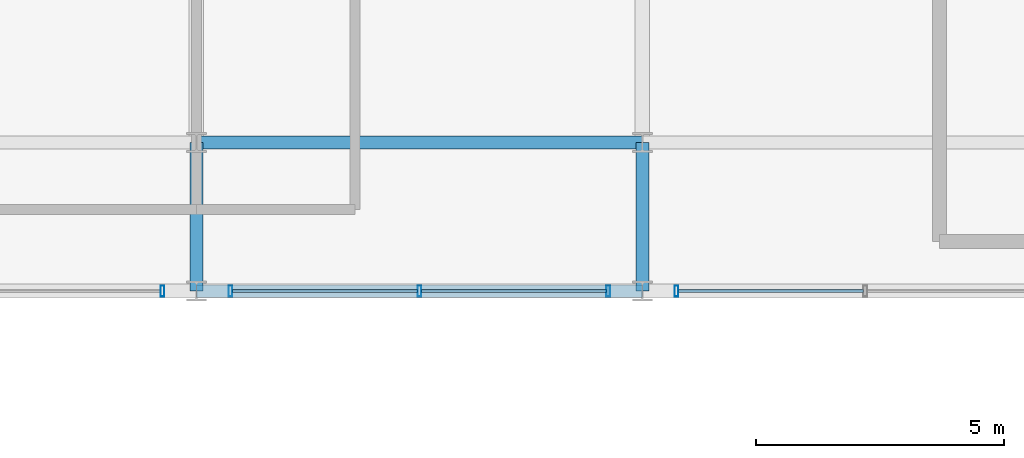
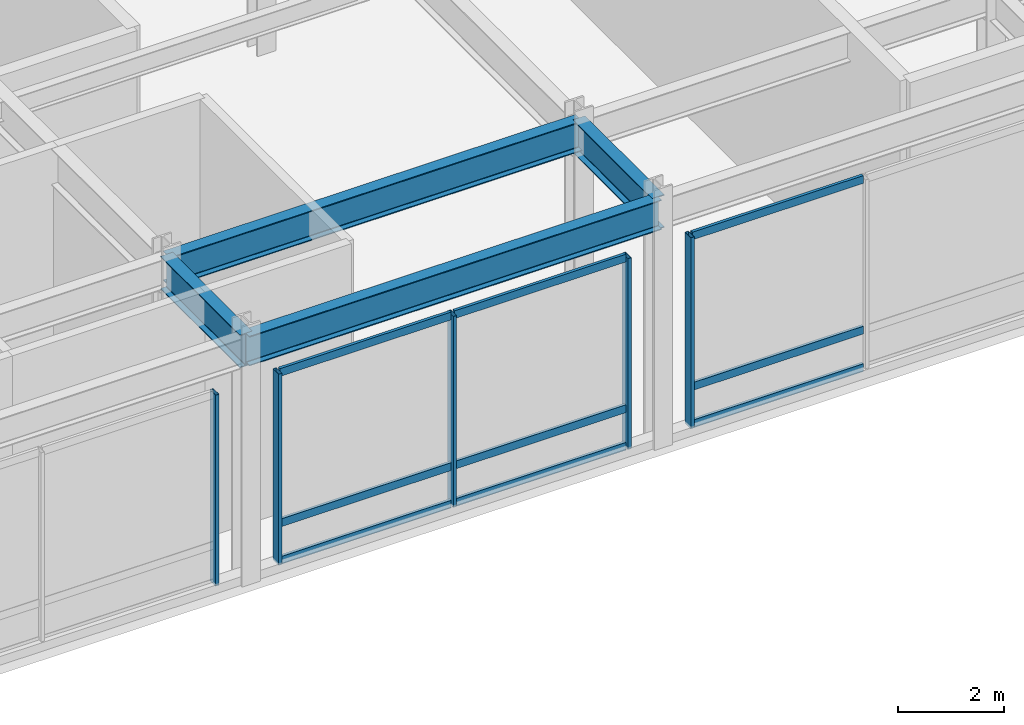
# One storey, part 57 of 105: 14 members, 4 beams, 3 elements without a shape of their own.
"""IFC4 building model written with IfcOpenShell, lengths in metres."""

from ifc_helpers import new_model, si_unit, direction, frame, origin, origin_2d, place, context, subcontext, project, spatial, hollow_rectangle, i_section, extrude, material, material_profile, profile_set, type_object, element, aggregate, save


model = new_model("IFC4")

# Units and contexts
model_context = context("Model", 3, precision=1e-05, world=origin(), true_north=direction((0.0, 1.0)))
body_context = subcontext(model_context, "Body", "Model", "MODEL_VIEW")
ifc_project = project(units=[si_unit("LENGTHUNIT", "METRE"), si_unit("AREAUNIT", "SQUARE_METRE"), si_unit("VOLUMEUNIT", "CUBIC_METRE"), si_unit("PLANEANGLEUNIT", "RADIAN"), si_unit("MASSUNIT", "GRAM", prefix="KILO")], contexts=[model_context])

# Site, building, storey
site_placement = place(None, origin())
site = spatial("IfcSite", under=ifc_project, at=site_placement, CompositionType="ELEMENT")
building_placement = place(site_placement, origin())
building = spatial("IfcBuilding", under=site, at=building_placement, Name="Kaldorvane Square Convention Centre", CompositionType="ELEMENT")
storey_placement = place(building_placement, frame((0.0, 0.0, 6.0)))
storey = spatial("IfcBuildingStorey", under=building, at=storey_placement, Name="L01", CompositionType="ELEMENT", Elevation=6.0)

# Beams
ifc_material_1 = material(Name="Steel ASTM A992 Gr. 50", Category="steel")
ifc_material_profile_1 = material_profile(ifc_material_1, i_section(OverallWidth=0.25439453125, OverallDepth=0.6880950927734375, WebThickness=0.0131072998046875, FlangeThickness=0.0211029052734375, FilletRadius=0.01519775390625, at=origin_2d()), Name="W27X102")
ifc_profile_set_1 = profile_set([ifc_material_profile_1], Name="Steel ASTM A992 Gr. 50")
beam_type_1 = type_object("IfcBeamType", Name="BM-GR-W27X102", PredefinedType="BEAM", material=ifc_profile_set_1)
for number, where, z_axis, x_axis, name in (
    (1, (147.0, 81.0, 5.332000732421875), (1.0, 0.0, 0.0), (0.0, 1.0, 0.0), "Primary Girder (L01)"),
    (2, (147.0, 84.0, 5.332000732421875), (1.0, 0.0, 0.0), (0.0, 1.0, 0.0), "Primary Girder (L01)"),
):
    element("IfcBeam", number, at=place(storey_placement, frame(where, z_axis=z_axis, x_axis=x_axis)), inside=storey, type_object=beam_type_1, Name=name, PredefinedType="BEAM", context=body_context, shape_type="SweptSolid", body=[
        extrude(i_section(OverallWidth=0.25439453125, OverallDepth=0.6880950927734375, WebThickness=0.0131072998046875, FlangeThickness=0.0211029052734375, FilletRadius=0.01519775390625, at=origin_2d()), origin(), (0.0, 0.0, 1.0), 9.0),
    ])
ifc_material_profile_2 = material_profile(ifc_material_1, i_section(OverallWidth=0.2666015625, OverallDepth=0.762298583984375, WebThickness=0.014404296875, FlangeThickness=0.0216064453125, FilletRadius=0.0164947509765625, at=origin_2d()), Name="W30X116")
ifc_profile_set_2 = profile_set([ifc_material_profile_2], Name="Steel ASTM A992 Gr. 50")
beam_type_2 = type_object("IfcBeamType", Name="BM-GR-W30X116", PredefinedType="BEAM", material=ifc_profile_set_2)
for number, where, z_axis, x_axis, name in (
    (3, (147.0, 81.0, 5.2949066162109375), (0.0, 1.0, 0.0), (-1.0, 0.0, 0.0), "Transverse Girder (L01)"),
    (4, (156.0, 81.0, 5.2949066162109375), (0.0, 1.0, 0.0), (-1.0, 0.0, 0.0), "Transverse Girder (L01)"),
):
    element("IfcBeam", number, at=place(storey_placement, frame(where, z_axis=z_axis, x_axis=x_axis)), inside=storey, type_object=beam_type_2, Name=name, PredefinedType="BEAM", context=body_context, shape_type="SweptSolid", body=[
        extrude(i_section(OverallWidth=0.2666015625, OverallDepth=0.762298583984375, WebThickness=0.014404296875, FlangeThickness=0.0216064453125, FilletRadius=0.0164947509765625, at=origin_2d()), origin(), (0.0, 0.0, 1.0), 3.0),
    ])

# Curtain wall, member
ifc_material_2 = material(Name="Anodized Aluminum and Low-E Insulated Glazing", Category="aluminium")
curtain_wall_type = type_object("IfcCurtainWallType", Name="CW-PTS-FC-60", PredefinedType="USERDEFINED", material=ifc_material_2)
curtain_wall_1_placement = place(storey_placement, origin())
curtain_wall_1 = element("IfcCurtainWall", 5, at=curtain_wall_1_placement, inside=storey, type_object=curtain_wall_type, Name="Curtain Wall CW-07 (L01)", ObjectType="POINT SUPPORTED GLAZING", PredefinedType="USERDEFINED")
ifc_material_profile_3 = material_profile(ifc_material_2, hollow_rectangle(XDim=0.0749969482421875, YDim=0.220001220703125, WallThickness=0.003997802734375, at=origin_2d()), Name="CWM-220X75")
ifc_profile_set_3 = profile_set([ifc_material_profile_3], Name="Anodized Aluminum and Low-E Insulated Glazing")
member_type_1 = type_object("IfcMemberType", Name="CW-MUL-220", PredefinedType="MULLION", material=ifc_profile_set_3)
member_1_placement = place(storey_placement, frame((146.3125, 81.0, 0.149993896484375), z_axis=(0.0, 0.0, 1.0), x_axis=(1.0, 0.0, 0.0)))
member_1 = element("IfcMember", 6, at=member_1_placement, type_object=member_type_1, Name="CW-07 mullion 3", PredefinedType="MULLION", context=body_context, shape_type="SweptSolid", body=[
    extrude(hollow_rectangle(XDim=0.0749969482421875, YDim=0.220001220703125, WallThickness=0.003997802734375, at=origin_2d()), origin(), (0.0, 0.0, 1.0), 4.410003662109375),
])
aggregate(curtain_wall_1, [member_1])

# Curtain wall, members
curtain_wall_2_placement = place(storey_placement, origin())
curtain_wall_2 = element("IfcCurtainWall", 7, at=curtain_wall_2_placement, inside=storey, type_object=curtain_wall_type, Name="Curtain Wall CW-07 (L01)", ObjectType="POINT SUPPORTED GLAZING", PredefinedType="USERDEFINED")
member_2_placement = place(storey_placement, frame((147.6875, 81.0, 0.149993896484375), z_axis=(0.0, 0.0, 1.0), x_axis=(1.0, 0.0, 0.0)))
member_2 = element("IfcMember", 8, at=member_2_placement, type_object=member_type_1, Name="CW-07 mullion 1", PredefinedType="MULLION", context=body_context, shape_type="SweptSolid", body=[
    extrude(hollow_rectangle(XDim=0.0749969482421875, YDim=0.220001220703125, WallThickness=0.003997802734375, at=origin_2d()), origin(), (0.0, 0.0, 1.0), 4.410003662109375),
])
member_3_placement = place(storey_placement, frame((151.5, 81.0, 0.149993896484375), z_axis=(0.0, 0.0, 1.0), x_axis=(1.0, 0.0, 0.0)))
member_3 = element("IfcMember", 9, at=member_3_placement, type_object=member_type_1, Name="CW-07 mullion 2", PredefinedType="MULLION", context=body_context, shape_type="SweptSolid", body=[
    extrude(hollow_rectangle(XDim=0.0749969482421875, YDim=0.220001220703125, WallThickness=0.003997802734375, at=origin_2d()), origin(), (0.0, 0.0, 1.0), 4.410003662109375),
])
member_4_placement = place(storey_placement, frame((155.3125, 81.0, 0.149993896484375), z_axis=(0.0, 0.0, 1.0), x_axis=(1.0, 0.0, 0.0)))
member_4 = element("IfcMember", 10, at=member_4_placement, type_object=member_type_1, Name="CW-07 mullion 3", PredefinedType="MULLION", context=body_context, shape_type="SweptSolid", body=[
    extrude(hollow_rectangle(XDim=0.0749969482421875, YDim=0.220001220703125, WallThickness=0.003997802734375, at=origin_2d()), origin(), (0.0, 0.0, 1.0), 4.410003662109375),
])

# Curtain wall, member
curtain_wall_3_placement = place(storey_placement, origin())
curtain_wall_3 = element("IfcCurtainWall", 11, at=curtain_wall_3_placement, inside=storey, type_object=curtain_wall_type, Name="Curtain Wall CW-07 (L01)", ObjectType="POINT SUPPORTED GLAZING", PredefinedType="USERDEFINED")
member_5_placement = place(storey_placement, frame((156.6875, 81.0, 0.149993896484375), z_axis=(0.0, 0.0, 1.0), x_axis=(1.0, 0.0, 0.0)))
member_5 = element("IfcMember", 12, at=member_5_placement, type_object=member_type_1, Name="CW-07 mullion 1", PredefinedType="MULLION", context=body_context, shape_type="SweptSolid", body=[
    extrude(hollow_rectangle(XDim=0.0749969482421875, YDim=0.220001220703125, WallThickness=0.003997802734375, at=origin_2d()), origin(), (0.0, 0.0, 1.0), 4.410003662109375),
])

# Member
ifc_material_profile_4 = material_profile(ifc_material_2, hollow_rectangle(XDim=0.06500244140625, YDim=0.17999267578125, WallThickness=0.0034942626953125, at=origin_2d()), Name="CWT-180X65")
ifc_profile_set_4 = profile_set([ifc_material_profile_4], Name="Anodized Aluminum and Low-E Insulated Glazing")
member_type_2 = type_object("IfcMemberType", Name="CW-TRN-180", PredefinedType="USERDEFINED", material=ifc_profile_set_4)
member_6_placement = place(storey_placement, frame((147.72500610351562, 81.0, 0.1824951171875), z_axis=(1.0, 0.0, 0.0), x_axis=(0.0, 1.0, 0.0)))
member_6 = element("IfcMember", 13, at=member_6_placement, type_object=member_type_2, Name="CW-07 transom 1.1", ObjectType="TRANSOM", PredefinedType="USERDEFINED", context=body_context, shape_type="SweptSolid", body=[
    extrude(hollow_rectangle(XDim=0.06500244140625, YDim=0.17999267578125, WallThickness=0.0034942626953125, at=origin_2d()), origin(), (0.0, 0.0, 1.0), 3.73748779296875),
])

member_7_placement = place(storey_placement, frame((147.72500610351562, 81.0, 1.0500030517578125), z_axis=(1.0, 0.0, 0.0), x_axis=(0.0, 1.0, 0.0)))
member_7 = element("IfcMember", 14, at=member_7_placement, type_object=member_type_2, Name="CW-07 transom 1.2", ObjectType="TRANSOM", PredefinedType="USERDEFINED", context=body_context, shape_type="SweptSolid", body=[
    extrude(hollow_rectangle(XDim=0.06500244140625, YDim=0.17999267578125, WallThickness=0.0034942626953125, at=origin_2d()), origin(), (0.0, 0.0, 1.0), 3.73748779296875),
])

member_8_placement = place(storey_placement, frame((147.72500610351562, 81.0, 4.527496337890625), z_axis=(1.0, 0.0, 0.0), x_axis=(0.0, 1.0, 0.0)))
member_8 = element("IfcMember", 15, at=member_8_placement, type_object=member_type_2, Name="CW-07 transom 1.3", ObjectType="TRANSOM", PredefinedType="USERDEFINED", context=body_context, shape_type="SweptSolid", body=[
    extrude(hollow_rectangle(XDim=0.06500244140625, YDim=0.17999267578125, WallThickness=0.0034942626953125, at=origin_2d()), origin(), (0.0, 0.0, 1.0), 3.73748779296875),
])

member_9_placement = place(storey_placement, frame((151.53750610351562, 81.0, 0.1824951171875), z_axis=(1.0, 0.0, 0.0), x_axis=(0.0, 1.0, 0.0)))
member_9 = element("IfcMember", 16, at=member_9_placement, type_object=member_type_2, Name="CW-07 transom 2.1", ObjectType="TRANSOM", PredefinedType="USERDEFINED", context=body_context, shape_type="SweptSolid", body=[
    extrude(hollow_rectangle(XDim=0.06500244140625, YDim=0.17999267578125, WallThickness=0.0034942626953125, at=origin_2d()), origin(), (0.0, 0.0, 1.0), 3.73748779296875),
])

member_10_placement = place(storey_placement, frame((151.53750610351562, 81.0, 1.0500030517578125), z_axis=(1.0, 0.0, 0.0), x_axis=(0.0, 1.0, 0.0)))
member_10 = element("IfcMember", 17, at=member_10_placement, type_object=member_type_2, Name="CW-07 transom 2.2", ObjectType="TRANSOM", PredefinedType="USERDEFINED", context=body_context, shape_type="SweptSolid", body=[
    extrude(hollow_rectangle(XDim=0.06500244140625, YDim=0.17999267578125, WallThickness=0.0034942626953125, at=origin_2d()), origin(), (0.0, 0.0, 1.0), 3.73748779296875),
])

member_11_placement = place(storey_placement, frame((151.53750610351562, 81.0, 4.527496337890625), z_axis=(1.0, 0.0, 0.0), x_axis=(0.0, 1.0, 0.0)))
member_11 = element("IfcMember", 18, at=member_11_placement, type_object=member_type_2, Name="CW-07 transom 2.3", ObjectType="TRANSOM", PredefinedType="USERDEFINED", context=body_context, shape_type="SweptSolid", body=[
    extrude(hollow_rectangle(XDim=0.06500244140625, YDim=0.17999267578125, WallThickness=0.0034942626953125, at=origin_2d()), origin(), (0.0, 0.0, 1.0), 3.73748779296875),
])

aggregate(curtain_wall_2, [member_2, member_3, member_4, member_6, member_7, member_8, member_9, member_10, member_11])

member_12_placement = place(storey_placement, frame((156.72500610351562, 81.0, 0.1824951171875), z_axis=(1.0, 0.0, 0.0), x_axis=(0.0, 1.0, 0.0)))
member_12 = element("IfcMember", 19, at=member_12_placement, type_object=member_type_2, Name="CW-07 transom 1.1", ObjectType="TRANSOM", PredefinedType="USERDEFINED", context=body_context, shape_type="SweptSolid", body=[
    extrude(hollow_rectangle(XDim=0.06500244140625, YDim=0.17999267578125, WallThickness=0.0034942626953125, at=origin_2d()), origin(), (0.0, 0.0, 1.0), 3.73748779296875),
])

member_13_placement = place(storey_placement, frame((156.72500610351562, 81.0, 1.0500030517578125), z_axis=(1.0, 0.0, 0.0), x_axis=(0.0, 1.0, 0.0)))
member_13 = element("IfcMember", 20, at=member_13_placement, type_object=member_type_2, Name="CW-07 transom 1.2", ObjectType="TRANSOM", PredefinedType="USERDEFINED", context=body_context, shape_type="SweptSolid", body=[
    extrude(hollow_rectangle(XDim=0.06500244140625, YDim=0.17999267578125, WallThickness=0.0034942626953125, at=origin_2d()), origin(), (0.0, 0.0, 1.0), 3.73748779296875),
])

member_14_placement = place(storey_placement, frame((156.72500610351562, 81.0, 4.527496337890625), z_axis=(1.0, 0.0, 0.0), x_axis=(0.0, 1.0, 0.0)))
member_14 = element("IfcMember", 21, at=member_14_placement, type_object=member_type_2, Name="CW-07 transom 1.3", ObjectType="TRANSOM", PredefinedType="USERDEFINED", context=body_context, shape_type="SweptSolid", body=[
    extrude(hollow_rectangle(XDim=0.06500244140625, YDim=0.17999267578125, WallThickness=0.0034942626953125, at=origin_2d()), origin(), (0.0, 0.0, 1.0), 3.73748779296875),
])

aggregate(curtain_wall_3, [member_5, member_12, member_13, member_14])

save(model, "model.ifc")
